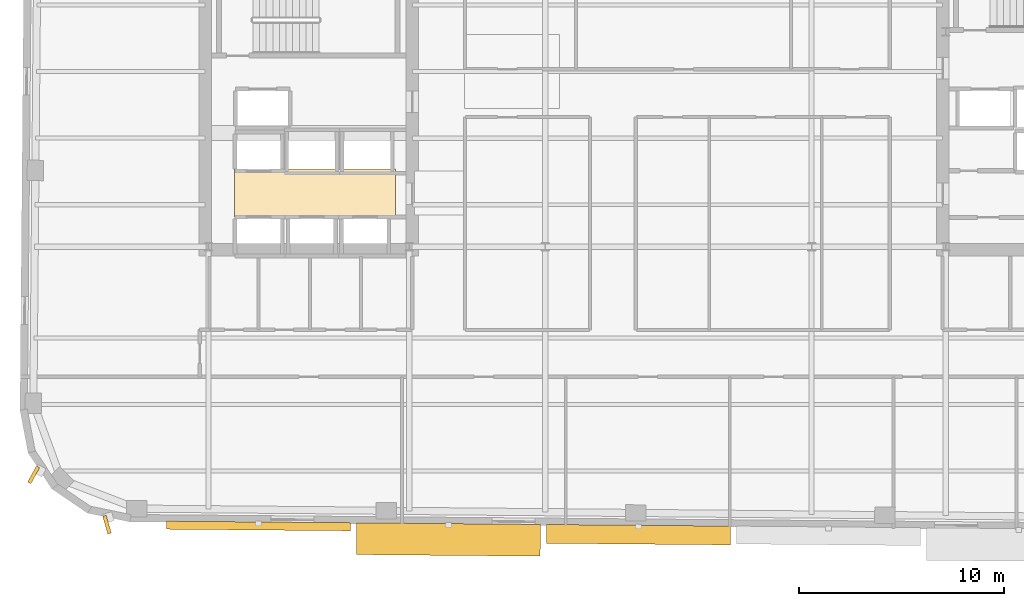
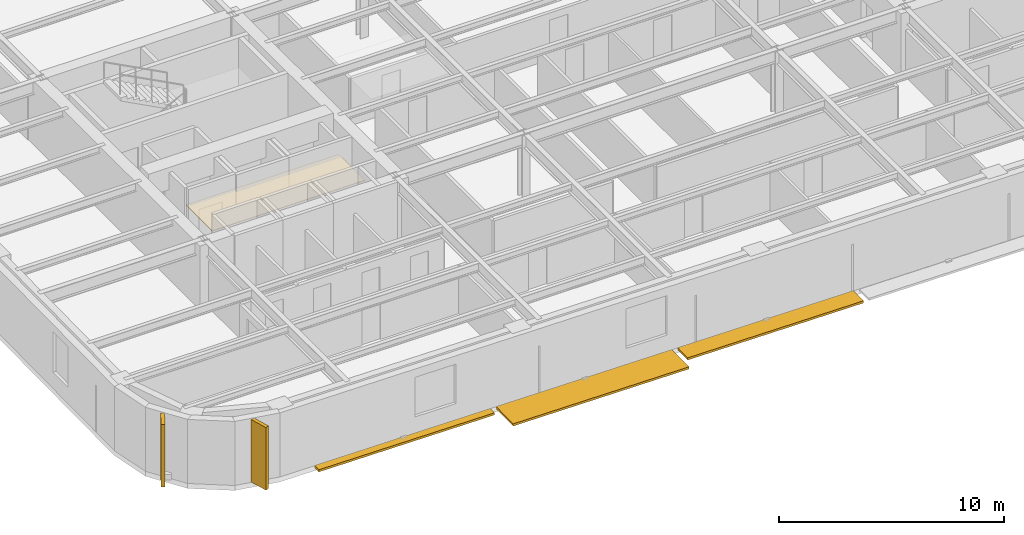
# One storey, part 8 of 12: 5 shading devices, 1 covering.
"""IFC4 building model written with IfcOpenShell, lengths in metres."""

from ifc_helpers import new_model, si_unit, direction, frame, origin, origin_2d, place, context, subcontext, project, spatial, polyline, rectangle, outline, extrude, material, layer, layer_set, type_object, element, save


model = new_model("IFC4")

# Units and contexts
model_context = context("Model", 3, precision=1e-05, world=origin(), true_north=direction((0.0, 1.0)))
body_context = subcontext(model_context, "Body", "Model", "MODEL_VIEW")
ifc_project = project(units=[si_unit("LENGTHUNIT", "METRE"), si_unit("AREAUNIT", "SQUARE_METRE"), si_unit("VOLUMEUNIT", "CUBIC_METRE"), si_unit("PLANEANGLEUNIT", "RADIAN"), si_unit("MASSUNIT", "GRAM", prefix="KILO")], contexts=[model_context])

# Site, building, storey
site_placement = place(None, origin())
site = spatial("IfcSite", under=ifc_project, at=site_placement, CompositionType="ELEMENT")
building_placement = place(site_placement, origin())
building = spatial("IfcBuilding", under=site, at=building_placement, Name="Kolvaren Arena Tower", CompositionType="ELEMENT")
storey_placement = place(building_placement, frame((0.0, 0.0, 199.699951171875)))
storey = spatial("IfcBuildingStorey", under=building, at=storey_placement, Name="L48", CompositionType="ELEMENT", Elevation=199.699951171875)

# Covering
ifc_material_1 = material(Name="Moisture-resistant gypsum ceiling", Category="gypsum")
ifc_layer = layer(ifc_material_1, 0.030029296875)
ifc_layer_set = layer_set([ifc_layer], Name="Moisture-resistant gypsum ceiling")
covering_type = type_object("IfcCoveringType", Name="CEIL-GYP-1", PredefinedType="CEILING", material=ifc_layer_set)
covering_placement = place(storey_placement, frame((0.0, 0.0, 2.52001953125)))
element("IfcCovering", 1, at=covering_placement, inside=storey, type_object=covering_type, Name="Suspended Ceiling (L48)", PredefinedType="CEILING", context=body_context, shape_type="SweptSolid", body=[
    extrude(outline(polyline([(15.820068359375, 20.89990234375), (15.820068359375, 23.239990234375), (23.679931640625, 23.239990234375), (23.679931640625, 20.89990234375), (15.820068359375, 20.89990234375)])), origin(), (0.0, 0.0, 1.0), 0.030029296875),
])

# Shading devices
ifc_material_2 = material(Name="Precast architectural concrete C50/60 rib fin", Category="concrete")
shading_device_type_1 = type_object("IfcShadingDeviceType", Name="SHAD-FIN-28", PredefinedType="USERDEFINED", material=ifc_material_2)
for number, where, z_axis, x_axis, name in (
    (2, (6.018798828125, 8.31494140625, 0.02001953125), (0.0, 0.0, 1.0), (-0.480994889615, -0.876723397751, 0.0), "Precast 28-Deg Corner Rib Fin (L48)"),
    (3, (9.597412109375, 5.87841796875, 0.02001953125), (0.0, 0.0, 1.0), (0.279812257957, -0.960054738177, 0.0), "Precast 28-Deg Corner Rib Fin (L48)"),
):
    element("IfcShadingDevice", number, at=place(storey_placement, frame(where, z_axis=z_axis, x_axis=x_axis)), inside=storey, type_object=shading_device_type_1, Name=name, ObjectType="FIN", PredefinedType="USERDEFINED", context=body_context, shape_type="SweptSolid", body=[
        extrude(rectangle(XDim=0.89990234375, YDim=0.179931640625, at=origin_2d()), origin(), (0.0, 0.0, 1.0), 3.39990234375),
    ])
ifc_material_3 = material(Name="Architectural precast GFRC and anodised aluminium sunshade", Category="concrete")
shading_device_type_2 = type_object("IfcShadingDeviceType", Name="SHAD-SINE-A", PredefinedType="USERDEFINED", material=ifc_material_3)
shading_device_1_placement = place(storey_placement, frame((35.547607421875, 5.389892578125, -0.139892578125), z_axis=(0.0, 0.0, 1.0), x_axis=(-0.999961923064, 0.008726535498, 0.0)))
element("IfcShadingDevice", 4, at=shading_device_1_placement, inside=storey, type_object=shading_device_type_2, Name="Sinusoidal Slab-Edge Sunshade Louvre (L48)", ObjectType="LOUVRE", PredefinedType="USERDEFINED", context=body_context, shape_type="SweptSolid", body=[
    extrude(rectangle(XDim=8.97998046875, YDim=0.919677734375, at=origin_2d()), origin(), (0.0, 0.0, 1.0), 0.1201171875),
])
shading_device_2_placement = place(storey_placement, frame((16.990478515625, 5.814697265625, -0.139892578125), z_axis=(0.0, 0.0, 1.0), x_axis=(-0.999961923064, 0.008726535498, 0.0)))
element("IfcShadingDevice", 5, at=shading_device_2_placement, inside=storey, type_object=shading_device_type_2, Name="Sinusoidal Slab-Edge Sunshade Louvre (L48)", ObjectType="LOUVRE", PredefinedType="USERDEFINED", context=body_context, shape_type="SweptSolid", body=[
    extrude(rectangle(XDim=8.97998046875, YDim=0.393798828125, at=origin_2d()), origin(), (0.0, 0.0, 1.0), 0.1201171875),
])
shading_device_type_3 = type_object("IfcShadingDeviceType", Name="SHAD-SINE-B", PredefinedType="JALOUSIE", material=ifc_material_3)
shading_device_3_placement = place(storey_placement, frame((26.26513671875, 5.154296875, -0.139892578125), z_axis=(0.0, 0.0, 1.0), x_axis=(-0.999961923064, 0.008726535498, 0.0)))
element("IfcShadingDevice", 6, at=shading_device_3_placement, inside=storey, type_object=shading_device_type_3, Name="Sinusoidal Slab-Edge Sunshade Louvre (L48)", PredefinedType="JALOUSIE", context=body_context, shape_type="SweptSolid", body=[
    extrude(rectangle(XDim=8.97998046875, YDim=1.55224609375, at=origin_2d()), origin(), (0.0, 0.0, 1.0), 0.1201171875),
])

save(model, "model.ifc")
